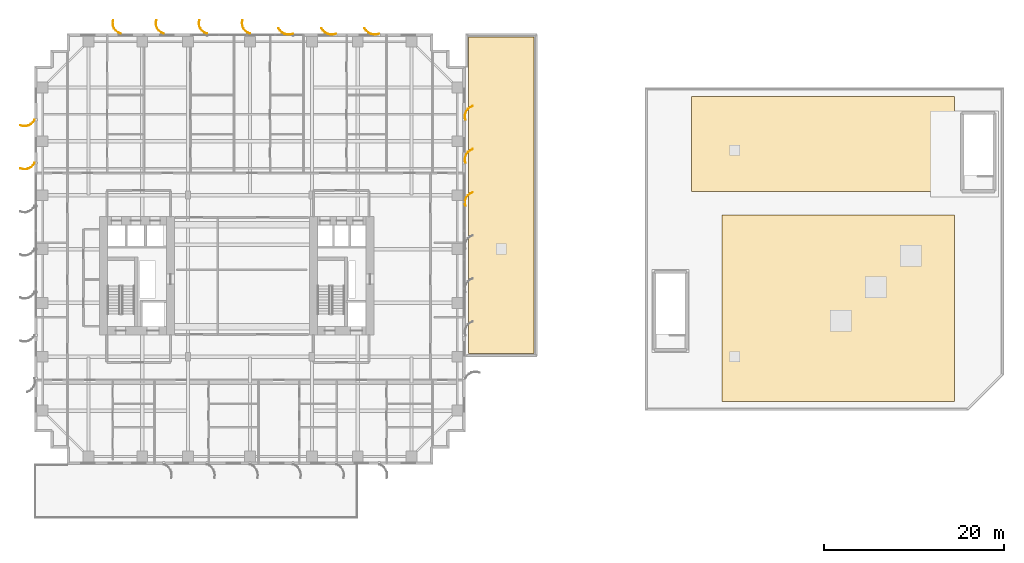
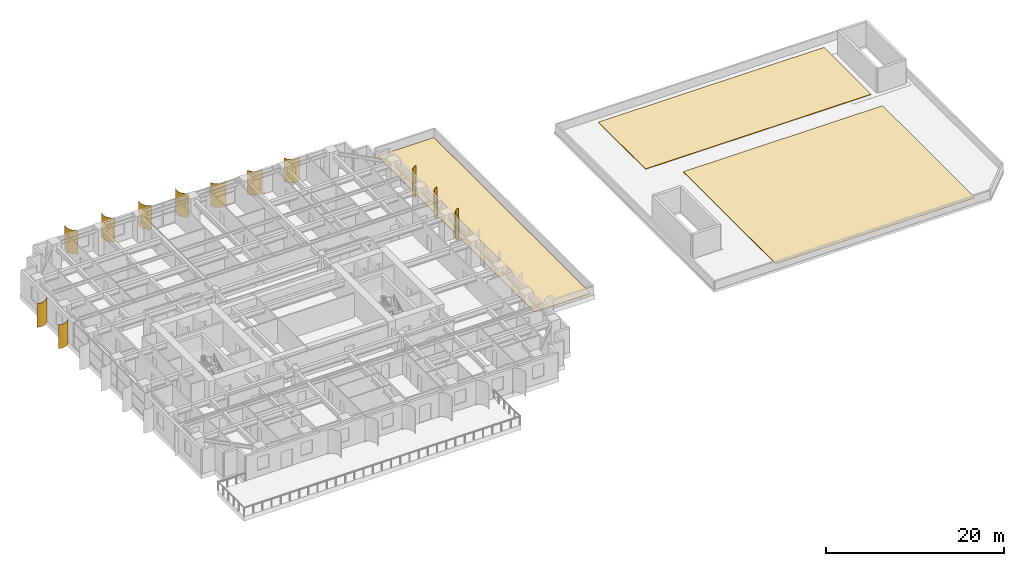
# One storey, part 21 of 21: 12 shading devices, 3 coverings.
"""IFC4 building model written with IfcOpenShell, lengths in metres."""

from ifc_helpers import new_model, si_unit, direction, frame, origin, place, context, subcontext, project, spatial, polyline, outline, extrude, source, transform, mapped, material, layer, layer_set, type_object, element, save


model = new_model("IFC4")

# Units and contexts
model_context = context("Model", 3, precision=1e-05, world=origin(), true_north=direction((0.0, 1.0)))
body_context = subcontext(model_context, "Body", "Model", "MODEL_VIEW")
ifc_project = project(units=[si_unit("LENGTHUNIT", "METRE"), si_unit("AREAUNIT", "SQUARE_METRE"), si_unit("VOLUMEUNIT", "CUBIC_METRE"), si_unit("PLANEANGLEUNIT", "RADIAN"), si_unit("MASSUNIT", "GRAM", prefix="KILO")], contexts=[model_context])

# Site, building, storey
site_placement = place(None, origin())
site = spatial("IfcSite", under=ifc_project, at=site_placement, CompositionType="ELEMENT")
building_placement = place(site_placement, origin())
building = spatial("IfcBuilding", under=site, at=building_placement, Name="Khoralis Quay Care Tower", CompositionType="ELEMENT")
storey_placement = place(building_placement, frame((0.0, 0.0, 22.5)))
storey = spatial("IfcBuildingStorey", under=building, at=storey_placement, Name="L05", CompositionType="ELEMENT", Elevation=22.5)

# Coverings
ifc_material_1 = material(Name="EPDM waterproofing membrane and rigid insulation")
ifc_layer_1 = layer(ifc_material_1, 0.080078125)
ifc_layer_set_1 = layer_set([ifc_layer_1], Name="EPDM waterproofing membrane and rigid insulation")
covering_type = type_object("IfcCoveringType", Name="COV-ROOF-80", PredefinedType="ROOFING", material=ifc_layer_set_1)
covering_1_placement = place(storey_placement, origin())
element("IfcCovering", 1, at=covering_1_placement, inside=storey, type_object=covering_type, Name="Podium East Wing Roof Membrane", PredefinedType="ROOFING", context=body_context, shape_type="SweptSolid", body=[
    extrude(outline(polyline([(48.35009765625, 12.35009765625), (55.64990234375, 12.35009765625), (55.64990234375, 47.64990234375), (48.35009765625, 47.64990234375), (48.35009765625, 12.35009765625)])), origin(), (0.0, 0.0, 1.0), 0.080078125),
])
covering_2_placement = place(storey_placement, origin())
element("IfcCovering", 2, at=covering_2_placement, inside=storey, type_object=covering_type, Name="School South Roof Membrane", PredefinedType="ROOFING", context=body_context, shape_type="SweptSolid", body=[
    extrude(outline(polyline([(76.60009765625, 7.0), (102.5, 7.0), (102.5, 27.800048828125), (76.60009765625, 27.800048828125), (76.60009765625, 7.0)])), origin(), (0.0, 0.0, 1.0), 0.080078125),
])
covering_3_placement = place(storey_placement, origin())
element("IfcCovering", 3, at=covering_3_placement, inside=storey, type_object=covering_type, Name="School North Roof Membrane", PredefinedType="ROOFING", context=body_context, shape_type="SweptSolid", body=[
    extrude(outline(polyline([(73.199951171875, 30.39990234375), (102.5, 30.39990234375), (102.5, 41.0), (73.199951171875, 41.0), (73.199951171875, 30.39990234375)])), origin(), (0.0, 0.0, 1.0), 0.080078125),
])

# Shading devices
ifc_material_2 = material(Name="Brushed pale anodised aluminium", Category="aluminium")
ifc_layer_2 = layer(ifc_material_2, 0.044921875)
ifc_layer_set_2 = layer_set([ifc_layer_2], Name="Brushed pale anodised aluminium")
shading_device_type = type_object("IfcShadingDeviceType", Name="SHD-FIN-1250", PredefinedType="USERDEFINED", material=ifc_layer_set_2)
shared_shape_1 = source(origin(), body_context, "Body", "SweptSolid", [
    extrude(outline(polyline([(0.0, 0.0), (0.130126953125, 0.29931640625), (0.333251953125, 0.5546875), (0.595458984375, 0.748779296875), (0.899169921875, 0.868408203125), (1.223388671875, 0.9052734375), (1.546142578125, 0.85693359375), (1.53369140625, 0.813720703125), (1.22265625, 0.8603515625), (0.91015625, 0.82470703125), (0.617431640625, 0.70947265625), (0.364501953125, 0.522216796875), (0.168701171875, 0.276123046875), (0.043212890625, -0.012451171875), (0.0, 0.0)])), origin(), (0.0, 0.0, 1.0), 3.260009765625),
])
for number, where, z_axis, x_axis, name in (
    (4, (24.0, 47.969970703125, 0.02001953125), (0.0, 0.0, 1.0), (0.0, 1.0, 0.0), "L05 Curved Solar Fin P1E10-04"),
    (5, (19.199951171875, 47.969970703125, 0.02001953125), (0.0, 0.0, 1.0), (0.0, 1.0, 0.0), "L05 Curved Solar Fin P1E10-05"),
    (6, (14.39990234375, 47.969970703125, 0.02001953125), (0.0, 0.0, 1.0), (0.0, 1.0, 0.0), "L05 Curved Solar Fin P1E10-06"),
    (7, (9.60009765625, 47.969970703125, 0.02001953125), (0.0, 0.0, 1.0), (0.0, 1.0, 0.0), "L05 Curved Solar Fin P1E10-07"),
):
    element("IfcShadingDevice", number, at=place(storey_placement, frame(where, z_axis=z_axis, x_axis=x_axis)), inside=storey, type_object=shading_device_type, Name=name, ObjectType="FIN", PredefinedType="USERDEFINED", context=body_context, shape_type="MappedRepresentation", body=[
        mapped(shared_shape_1, transform((0.0, 0.0, 0.0), scale=1.0)),
    ])
shared_shape_2 = source(origin(), body_context, "Body", "SweptSolid", [
    extrude(outline(polyline([(0.0, 0.0), (0.17041015625, 0.2783203125), (0.4072265625, 0.5029296875), (0.694091796875, 0.658447265625), (1.01123046875, 0.734619140625), (1.33740234375, 0.72607421875), (1.650390625, 0.633544921875), (1.632080078125, 0.59228515625), (1.330322265625, 0.681640625), (1.015869140625, 0.68994140625), (0.710205078125, 0.616455078125), (0.43359375, 0.466552734375), (0.20556640625, 0.25), (0.041015625, -0.018310546875), (0.0, 0.0)])), origin(), (0.0, 0.0, 1.0), 3.260009765625),
])
for number, where, z_axis, x_axis, name in (
    (8, (0.030029296875, 38.39990234375, 0.02001953125), (0.0, 0.0, 1.0), (-1.0, 0.0, 0.0), "L05 Curved Solar Fin P1E15-01"),
    (9, (0.030029296875, 33.60009765625, 0.02001953125), (0.0, 0.0, 1.0), (-1.0, 0.0, 0.0), "L05 Curved Solar Fin P1E15-02"),
):
    element("IfcShadingDevice", number, at=place(storey_placement, frame(where, z_axis=z_axis, x_axis=x_axis)), inside=storey, type_object=shading_device_type, Name=name, ObjectType="FIN", PredefinedType="USERDEFINED", context=body_context, shape_type="MappedRepresentation", body=[
        mapped(shared_shape_2, transform((0.0, 0.0, 0.0), scale=1.0)),
    ])
shared_shape_3 = source(origin(), body_context, "Body", "SweptSolid", [
    extrude(outline(polyline([(0.0, 0.0), (-0.04833984375, 0.32275390625), (-0.01123046875, 0.64697265625), (0.1083984375, 0.950439453125), (0.302490234375, 1.212890625), (0.557861328125, 1.416015625), (0.85693359375, 1.546142578125), (0.869384765625, 1.5029296875), (0.5810546875, 1.37744140625), (0.334716796875, 1.181640625), (0.147705078125, 0.9287109375), (0.032470703125, 0.635986328125), (-0.003173828125, 0.323486328125), (0.043212890625, 0.012451171875), (0.0, 0.0)])), origin(), (0.0, 0.0, 1.0), 3.260009765625),
])
for number, where, z_axis, x_axis, name in (
    (10, (47.969970703125, 28.800048828125, 0.02001953125), (0.0, 0.0, 1.0), (1.0, 0.0, 0.0), "L05 Curved Solar Fin P1E5-05"),
    (11, (47.969970703125, 33.60009765625, 0.02001953125), (0.0, 0.0, 1.0), (1.0, 0.0, 0.0), "L05 Curved Solar Fin P1E5-06"),
    (12, (47.969970703125, 38.39990234375, 0.02001953125), (0.0, 0.0, 1.0), (1.0, 0.0, 0.0), "L05 Curved Solar Fin P1E5-07"),
):
    element("IfcShadingDevice", number, at=place(storey_placement, frame(where, z_axis=z_axis, x_axis=x_axis)), inside=storey, type_object=shading_device_type, Name=name, ObjectType="FIN", PredefinedType="USERDEFINED", context=body_context, shape_type="MappedRepresentation", body=[
        mapped(shared_shape_3, transform((0.0, 0.0, 0.0), scale=1.0)),
    ])
shared_shape_4 = source(origin(), body_context, "Body", "SweptSolid", [
    extrude(outline(polyline([(0.0, 0.0), (-0.0927734375, 0.31298828125), (-0.101318359375, 0.63916015625), (-0.025146484375, 0.956298828125), (0.130615234375, 1.2431640625), (0.355224609375, 1.479736328125), (0.633544921875, 1.650390625), (0.65185546875, 1.609130859375), (0.383544921875, 1.44482421875), (0.1669921875, 1.216796875), (0.01708984375, 0.940185546875), (-0.056396484375, 0.63427734375), (-0.04833984375, 0.31982421875), (0.041015625, 0.018310546875), (0.0, 0.0)])), origin(), (0.0, 0.0, 1.0), 3.260009765625),
])
for number, where, z_axis, x_axis, name in (
    (13, (38.39990234375, 47.969970703125, 0.02001953125), (0.0, 0.0, 1.0), (0.0, 1.0, 0.0), "L05 Curved Solar Fin P1E10-01"),
    (14, (33.60009765625, 47.969970703125, 0.02001953125), (0.0, 0.0, 1.0), (0.0, 1.0, 0.0), "L05 Curved Solar Fin P1E10-02"),
    (15, (28.800048828125, 47.969970703125, 0.02001953125), (0.0, 0.0, 1.0), (0.0, 1.0, 0.0), "L05 Curved Solar Fin P1E10-03"),
):
    element("IfcShadingDevice", number, at=place(storey_placement, frame(where, z_axis=z_axis, x_axis=x_axis)), inside=storey, type_object=shading_device_type, Name=name, ObjectType="FIN", PredefinedType="USERDEFINED", context=body_context, shape_type="MappedRepresentation", body=[
        mapped(shared_shape_4, transform((0.0, 0.0, 0.0), scale=1.0)),
    ])

save(model, "model.ifc")
